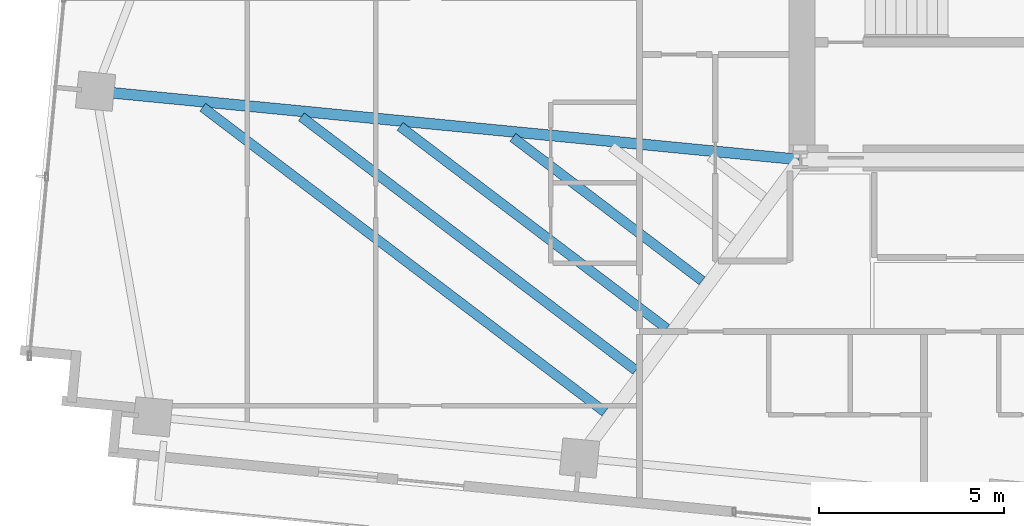
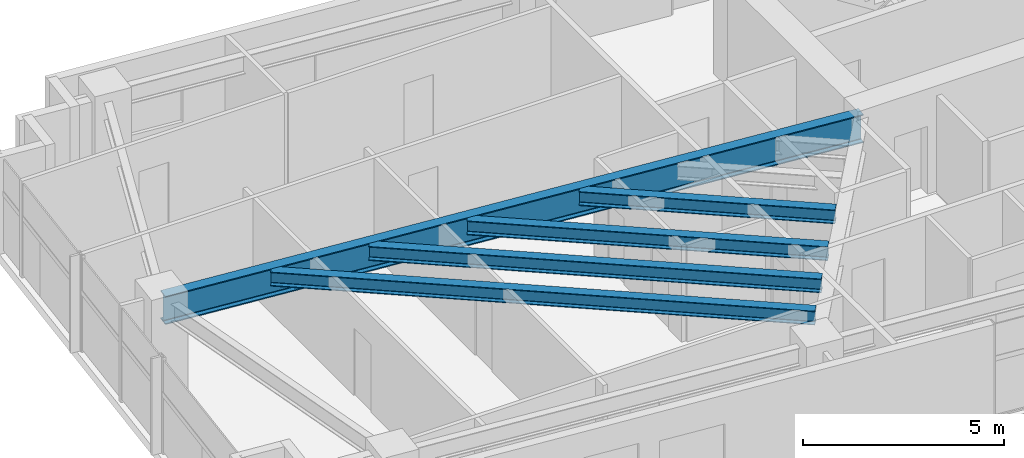
# One storey, part 3 of 19: 5 beams.
"""IFC4 building model written with IfcOpenShell, lengths in metres."""

from ifc_helpers import new_model, si_unit, direction, frame, origin, origin_2d, place, context, subcontext, project, spatial, i_section, extrude, source, transform, mapped, material, material_profile, profile_set, type_object, type_shapes, element, save


model = new_model("IFC4")

# Units and contexts
model_context = context("Model", 3, precision=1e-05, world=origin(), true_north=direction((0.0, 1.0)))
body_context = subcontext(model_context, "Body", "Model", "MODEL_VIEW")
ifc_project = project(units=[si_unit("LENGTHUNIT", "METRE"), si_unit("AREAUNIT", "SQUARE_METRE"), si_unit("VOLUMEUNIT", "CUBIC_METRE"), si_unit("PLANEANGLEUNIT", "RADIAN"), si_unit("MASSUNIT", "GRAM", prefix="KILO")], contexts=[model_context])

# Site, building, storey
site_placement = place(None, origin())
site = spatial("IfcSite", under=ifc_project, at=site_placement, CompositionType="ELEMENT")
building_placement = place(site_placement, origin())
building = spatial("IfcBuilding", under=site, at=building_placement, Name="Astriad Promenade Condominiums", CompositionType="ELEMENT")
storey_placement = place(building_placement, frame((0.0, 0.0, 140.60009765625)))
storey = spatial("IfcBuildingStorey", under=building, at=storey_placement, Name="L40", CompositionType="ELEMENT", Elevation=140.60009765625)

# Beams
ifc_material = material(Name="Steel ASTM A992 Grade 50", Category="steel")
ifc_material_profile_1 = material_profile(ifc_material, i_section(OverallWidth=0.2919921875, OverallDepth=0.85888671875, WebThickness=0.01708984375, FlangeThickness=0.031005859375, FilletRadius=0.02294921875, at=origin_2d()), Name="W33X169")
ifc_profile_set_1 = profile_set([ifc_material_profile_1], Name="Steel ASTM A992 Grade 50")
beam_type_1 = type_object("IfcBeamType", Name="STEEL PRIMARY GIRDER W33X169", PredefinedType="BEAM", material=ifc_profile_set_1)
shared_shape_1 = source(origin(), body_context, "Body", "SweptSolid", [
    extrude(i_section(OverallWidth=0.2919921875, OverallDepth=0.85888671875, WebThickness=0.01708984375, FlangeThickness=0.031005859375, FilletRadius=0.02294921875, at=origin_2d()), origin(), (0.0, 0.0, 1.0), 19.07177734375),
])
type_shapes(beam_type_1, [shared_shape_1])
beam_1_placement = place(storey_placement, frame((7.377685546875, 19.247802734375, 2.510498046875), z_axis=(0.995314830032, -0.096687068001, 0.0), x_axis=(0.096687068001, 0.995314830032, 0.0)))
element("IfcBeam", 1, at=beam_1_placement, inside=storey, type_object=beam_type_1, Name="Primary Floor Girder PG-WM-L40", PredefinedType="BEAM", context=body_context, shape_type="MappedRepresentation", body=[
    mapped(shared_shape_1, transform((0.0, 0.0, 0.0), scale=1.0)),
])
ifc_material_profile_2 = material_profile(ifc_material, i_section(OverallWidth=0.26318359375, OverallDepth=0.425537109375, WebThickness=0.01318359375, FlangeThickness=0.022216796875, FilletRadius=0.013916015625, at=origin_2d()), Name="W16X89")
ifc_profile_set_2 = profile_set([ifc_material_profile_2], Name="Steel ASTM A992 Grade 50")
beam_type_2 = type_object("IfcBeamType", Name="STEEL FLOOR JOIST W16X89", PredefinedType="JOIST", material=ifc_profile_set_2)
shared_shape_2 = source(origin(), body_context, "Body", "SweptSolid", [
    extrude(i_section(OverallWidth=0.26318359375, OverallDepth=0.425537109375, WebThickness=0.01318359375, FlangeThickness=0.022216796875, FilletRadius=0.013916015625, at=origin_2d()), origin(), (0.0, 0.0, 1.0), 13.64697265625),
])
beam_2_placement = place(storey_placement, frame((10.236572265625, 18.818115234375, 2.72705078125), z_axis=(0.796973667543, -0.604014050534, 0.0), x_axis=(0.604014050534, 0.796973667543, 0.0)))
element("IfcBeam", 2, at=beam_2_placement, inside=storey, type_object=beam_type_2, Name="Secondary Composite Floor Joist JW1-1-L40", PredefinedType="JOIST", context=body_context, shape_type="MappedRepresentation", body=[
    mapped(shared_shape_2, transform((0.0, 0.0, 0.0), scale=1.0)),
])
shared_shape_3 = source(origin(), body_context, "Body", "SweptSolid", [
    extrude(i_section(OverallWidth=0.26318359375, OverallDepth=0.425537109375, WebThickness=0.01318359375, FlangeThickness=0.022216796875, FilletRadius=0.013916015625, at=origin_2d()), origin(), (0.0, 0.0, 1.0), 11.347412109375),
])
beam_3_placement = place(storey_placement, frame((12.9052734375, 18.558837890625, 2.72705078125), z_axis=(0.796976964849, -0.60400969984, 0.0), x_axis=(0.60400969984, 0.796976964849, 0.0)))
element("IfcBeam", 3, at=beam_3_placement, inside=storey, type_object=beam_type_2, Name="Secondary Composite Floor Joist JW1-2-L40", PredefinedType="JOIST", context=body_context, shape_type="MappedRepresentation", body=[
    mapped(shared_shape_3, transform((0.0, 0.0, 0.0), scale=1.0)),
])
shared_shape_4 = source(origin(), body_context, "Body", "SweptSolid", [
    extrude(i_section(OverallWidth=0.26318359375, OverallDepth=0.425537109375, WebThickness=0.01318359375, FlangeThickness=0.022216796875, FilletRadius=0.013916015625, at=origin_2d()), origin(), (0.0, 0.0, 1.0), 9.048095703125),
])
beam_4_placement = place(storey_placement, frame((15.573974609375, 18.299560546875, 2.72705078125), z_axis=(0.796981937997, -0.604003137829, 0.0), x_axis=(0.604003137829, 0.796981937997, 0.0)))
element("IfcBeam", 4, at=beam_4_placement, inside=storey, type_object=beam_type_2, Name="Secondary Composite Floor Joist JW1-3-L40", PredefinedType="JOIST", context=body_context, shape_type="MappedRepresentation", body=[
    mapped(shared_shape_4, transform((0.0, 0.0, 0.0), scale=1.0)),
])
shared_shape_5 = source(origin(), body_context, "Body", "SweptSolid", [
    extrude(i_section(OverallWidth=0.26318359375, OverallDepth=0.425537109375, WebThickness=0.01318359375, FlangeThickness=0.022216796875, FilletRadius=0.013916015625, at=origin_2d()), origin(), (0.0, 0.0, 1.0), 6.420654296875),
])
type_shapes(beam_type_2, [shared_shape_2, shared_shape_3, shared_shape_4, shared_shape_5])
beam_5_placement = place(storey_placement, frame((18.6240234375, 18.00341796875, 2.72705078125), z_axis=(0.796964567146, -0.604026057976, 0.0), x_axis=(0.604026057976, 0.796964567146, 0.0)))
element("IfcBeam", 5, at=beam_5_placement, inside=storey, type_object=beam_type_2, Name="Secondary Composite Floor Joist JW1-4-L40", PredefinedType="JOIST", context=body_context, shape_type="MappedRepresentation", body=[
    mapped(shared_shape_5, transform((0.0, 0.0, 0.0), scale=1.0)),
])

save(model, "model.ifc")
